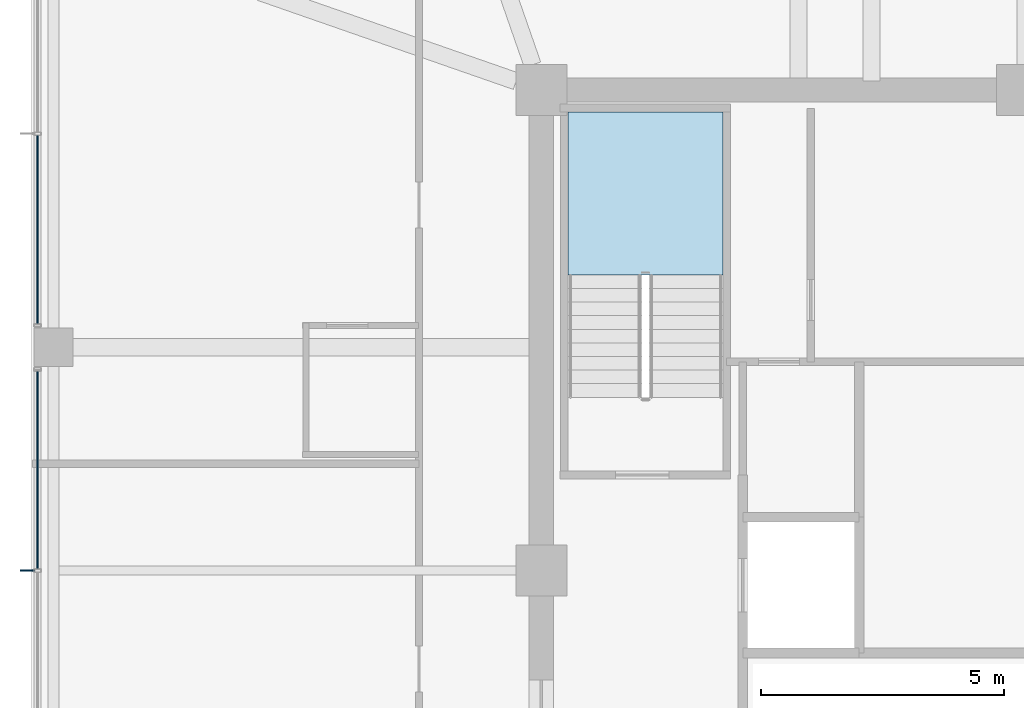
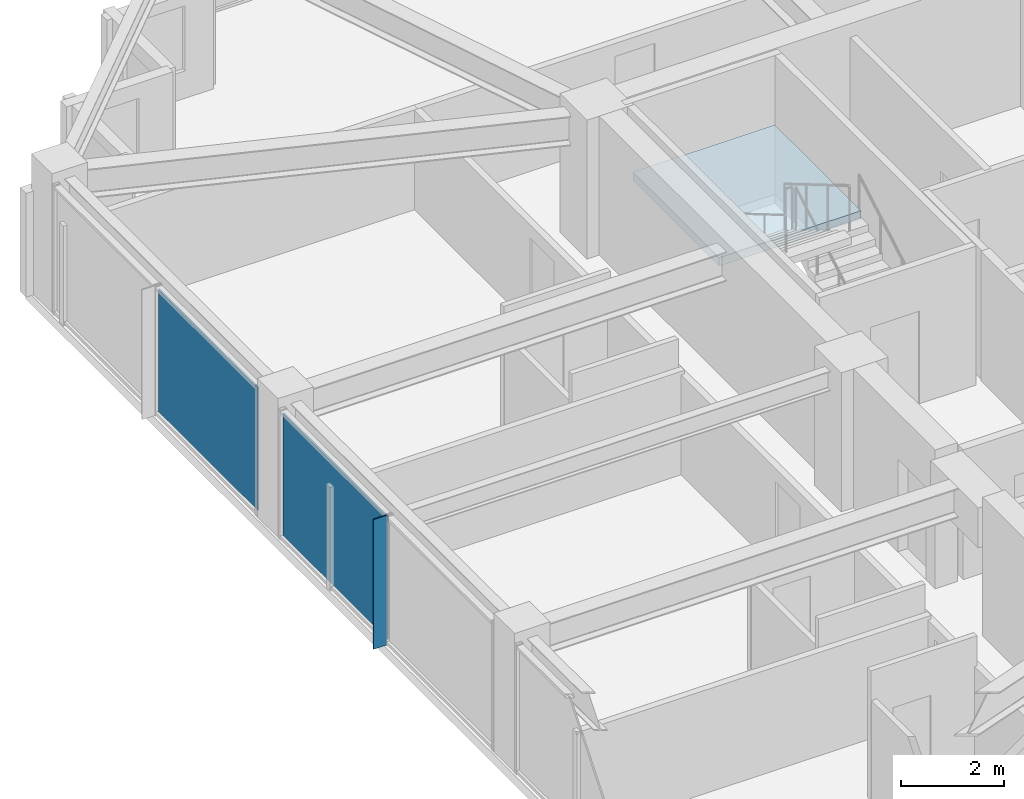
# One storey, part 25 of 36: 3 plates, 1 slab, 3 elements without a shape of their own.
"""IFC4 building model written with IfcOpenShell, lengths in metres."""

from ifc_helpers import new_model, si_unit, direction, frame, origin, origin_2d, place, context, subcontext, project, spatial, polyline, rectangle, outline, extrude, material, layer, layer_set, type_object, element, aggregate, save


model = new_model("IFC4")

# Units and contexts
model_context = context("Model", 3, precision=1e-05, world=origin(), true_north=direction((0.0, 1.0)))
body_context = subcontext(model_context, "Body", "Model", "MODEL_VIEW")
ifc_project = project(units=[si_unit("LENGTHUNIT", "METRE"), si_unit("AREAUNIT", "SQUARE_METRE"), si_unit("VOLUMEUNIT", "CUBIC_METRE"), si_unit("PLANEANGLEUNIT", "RADIAN"), si_unit("MASSUNIT", "GRAM", prefix="KILO")], contexts=[model_context])

# Site, building, storey
site_placement = place(None, origin())
site = spatial("IfcSite", under=ifc_project, at=site_placement, CompositionType="ELEMENT")
building_placement = place(site_placement, origin())
building = spatial("IfcBuilding", under=site, at=building_placement, Name="Kolvaren Belvedere", CompositionType="ELEMENT")
storey_placement = place(building_placement, frame((0.0, 0.0, 196.5)))
storey = spatial("IfcBuildingStorey", under=building, at=storey_placement, Name="L57", CompositionType="ELEMENT", Elevation=196.5)

# Curtain wall, plate
ifc_material_1 = material(Name="Anodised pale-metal aluminium AA 6063-T6", Category="aluminium")
curtain_wall_type = type_object("IfcCurtainWallType", Name="CW-Z5-HIGH", PredefinedType="NOTDEFINED", material=ifc_material_1)
curtain_wall_1_placement = place(storey_placement, origin())
curtain_wall_1 = element("IfcCurtainWall", 1, at=curtain_wall_1_placement, inside=storey, type_object=curtain_wall_type, Name="L57 Unitised Curtain Wall FCW-L57-W-B2", PredefinedType="NOTDEFINED")
ifc_material_2 = material(Name="Low-iron triple insulated glass", Category="glass")
ifc_layer_1 = layer(ifc_material_2, 0.028076171875)
ifc_layer_set_1 = layer_set([ifc_layer_1], Name="Low-iron triple insulated glass")
plate_type_1 = type_object("IfcPlateType", Name="CW-PNL-VIS28", PredefinedType="CURTAIN_PANEL", material=ifc_layer_set_1)
plate_1_placement = place(storey_placement, frame((-20.280029296875, 2.072509765625, 0.080078125), z_axis=(0.0, 0.0, 1.0), x_axis=(0.0, 1.0, 0.0)))
plate_1 = element("IfcPlate", 2, at=plate_1_placement, type_object=plate_type_1, Name="FCW-L57-W-B2 Vision Glazing Panel 2", PredefinedType="CURTAIN_PANEL", context=body_context, shape_type="SweptSolid", body=[
    extrude(rectangle(XDim=4.06494140625, YDim=0.028076171875, at=origin_2d()), origin(), (0.0, 0.0, 1.0), 2.919921875),
])
aggregate(curtain_wall_1, [plate_1])

curtain_wall_2_placement = place(storey_placement, origin())
curtain_wall_2 = element("IfcCurtainWall", 3, at=curtain_wall_2_placement, inside=storey, type_object=curtain_wall_type, Name="L57 Unitised Curtain Wall FCW-L57-W-B3", PredefinedType="NOTDEFINED")
plate_2_placement = place(storey_placement, frame((-20.280029296875, 7.027587890625, 0.080078125), z_axis=(0.0, 0.0, 1.0), x_axis=(0.0, 1.0, 0.0)))
plate_2 = element("IfcPlate", 4, at=plate_2_placement, type_object=plate_type_1, Name="FCW-L57-W-B3 Vision Glazing Panel 1", PredefinedType="CURTAIN_PANEL", context=body_context, shape_type="SweptSolid", body=[
    extrude(rectangle(XDim=3.864990234375, YDim=0.028076171875, at=origin_2d()), origin(), (0.0, 0.0, 1.0), 2.919921875),
])
aggregate(curtain_wall_2, [plate_2])

# Plate
ifc_material_3 = material(Name="Anodised pale-metal aluminium AA 6063-T6", Category="aluminium")
ifc_layer_2 = layer(ifc_material_3, 0.030029296875)
ifc_layer_set_2 = layer_set([ifc_layer_2], Name="Anodised pale-metal aluminium AA 6063-T6")
plate_type_2 = type_object("IfcPlateType", Name="FIN-VERT-300", PredefinedType="USERDEFINED", material=ifc_layer_set_2)
plate_3_placement = place(storey_placement, frame((-20.489990234375, 0.0, 0.0), z_axis=(0.0, 0.0, 1.0), x_axis=(1.0, 0.0, 0.0)))
element("IfcPlate", 5, at=plate_3_placement, inside=storey, type_object=plate_type_2, Name="L57 Pale-Metal Vertical Shading Fin FCW-L57-W-B2-1", ObjectType="VERTICAL FIN", PredefinedType="USERDEFINED", context=body_context, shape_type="SweptSolid", body=[
    extrude(rectangle(XDim=0.300048828125, YDim=0.030029296875, at=origin_2d()), origin(), (0.0, 0.0, 1.0), 3.080078125),
])

# Stair, slab
ifc_material_4 = material(Name="Concrete C50/60", Category="concrete")
stair_type = type_object("IfcStairType", Name="ST-CORE-1520", PredefinedType="HALF_TURN_STAIR", material=ifc_material_4)
stair_placement = place(storey_placement, origin())
stair = element("IfcStair", 6, at=stair_placement, inside=storey, type_object=stair_type, Name="L57 Protected Exit Stair ST-1", PredefinedType="HALF_TURN_STAIR")
ifc_material_5 = material(Name="Concrete C50/60", Category="concrete")
ifc_layer_3 = layer(ifc_material_5, 0.260009765625)
ifc_layer_set_3 = layer_set([ifc_layer_3], Name="Concrete C50/60")
slab_type = type_object("IfcSlabType", Name="SL-LAND-260", PredefinedType="LANDING", material=ifc_layer_set_3)
slab_placement = place(storey_placement, frame((0.0, 0.0, 1.449951171875)))
slab = element("IfcSlab", 7, at=slab_placement, type_object=slab_type, Name="ST-1 landing 1", PredefinedType="LANDING", context=body_context, shape_type="SweptSolid", body=[
    extrude(outline(polyline([(-6.159912109375, 6.090087890625), (-6.159912109375, 9.449951171875), (-9.35009765625, 9.449951171875), (-9.35009765625, 6.090087890625), (-6.159912109375, 6.090087890625)])), origin(), (0.0, 0.0, 1.0), 0.199951171875),
])
aggregate(stair, [slab])

save(model, "model.ifc")
